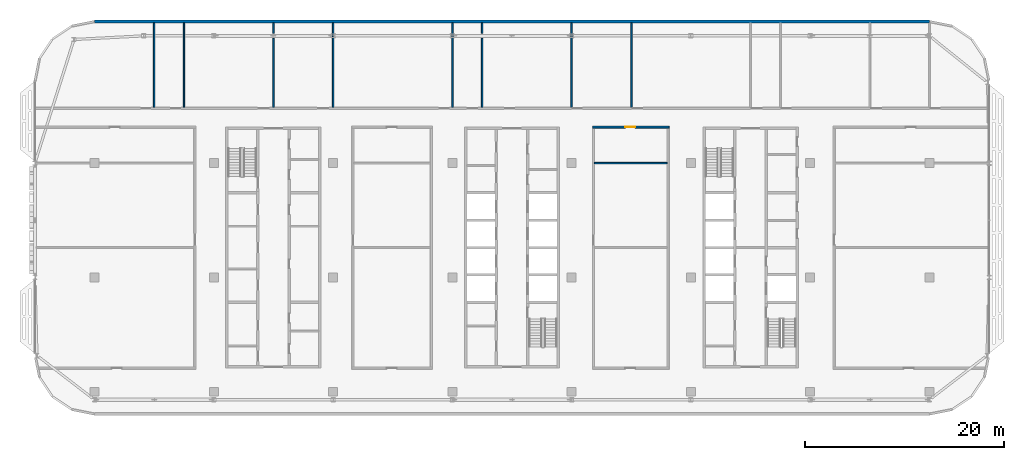
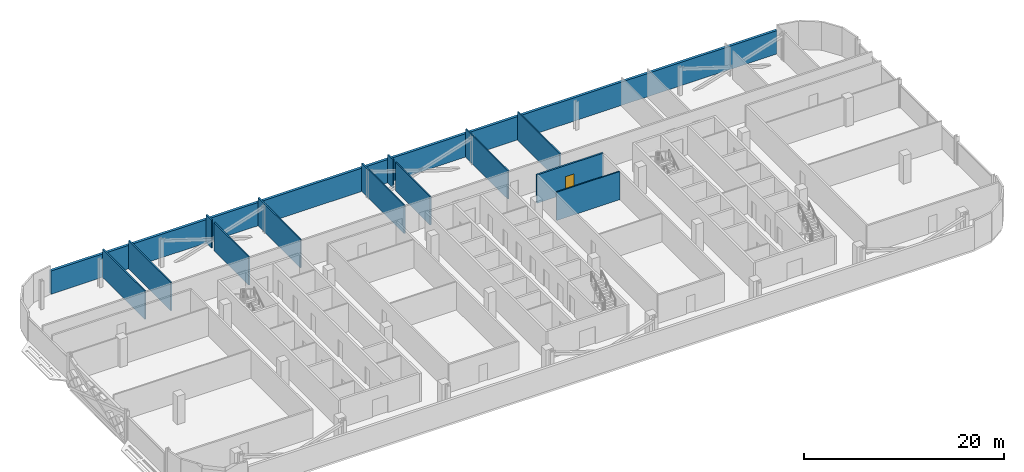
# One storey, part 17 of 28: 13 walls, 1 door, 1 opening.
"""IFC4 building model written with IfcOpenShell, lengths in metres."""

from ifc_helpers import new_model, si_unit, direction, frame, frame_2d, origin, place, context, subcontext, project, spatial, rectangle, extrude, material, layer, layer_set, type_object, element, fill, save


model = new_model("IFC4")

# Units and contexts
model_context = context("Model", 3, precision=1e-05, world=origin(), true_north=direction((0.0, 1.0)))
body_context = subcontext(model_context, "Body", "Model", "MODEL_VIEW")
ifc_project = project(units=[si_unit("LENGTHUNIT", "METRE"), si_unit("AREAUNIT", "SQUARE_METRE"), si_unit("VOLUMEUNIT", "CUBIC_METRE"), si_unit("PLANEANGLEUNIT", "RADIAN"), si_unit("MASSUNIT", "GRAM", prefix="KILO")], contexts=[model_context])

# Site, building, storey
site_placement = place(None, origin())
site = spatial("IfcSite", under=ifc_project, at=site_placement, CompositionType="ELEMENT")
building_placement = place(site_placement, origin())
building = spatial("IfcBuilding", under=site, at=building_placement, Name="Mahtab Terrace Research Tower", CompositionType="ELEMENT")
storey_placement = place(building_placement, frame((0.0, 0.0, 267.10009765625)))
storey = spatial("IfcBuildingStorey", under=building, at=storey_placement, Name="L65", CompositionType="ELEMENT", Elevation=267.10009765625)

# Wall
ifc_material_1 = material(Name="Black aluminium cladding panel", Category="aluminium")
ifc_layer_1 = layer(ifc_material_1, 0.300048828125)
ifc_layer_set_1 = layer_set([ifc_layer_1], Name="Opaque facade wall 300")
wall_type_1 = type_object("IfcWallType", Name="Opaque facade wall 300", PredefinedType="NOTDEFINED", material=ifc_layer_set_1)
wall_1_placement = place(storey_placement, frame((42.0, 25.7509765625, 0.0), z_axis=(0.0, 0.0, 1.0), x_axis=(-1.0, 0.0, 0.0)))
element("IfcWall", 1, at=wall_1_placement, inside=storey, type_object=wall_type_1, Name="Opaque facade wall L65 N3", PredefinedType="NOTDEFINED", context=body_context, shape_type="SweptSolid", body=[
    extrude(rectangle(XDim=84.0, YDim=0.300048828125, at=frame_2d((42.0, 0.0))), origin(), (0.0, 0.0, 1.0), 2.852783203125),
])

# Wall, opening, door
ifc_material_2 = material(Name="Gypsum board corridor wall on steel studs", Category="steel")
ifc_layer_2 = layer(ifc_material_2, 0.199951171875)
ifc_layer_set_2 = layer_set([ifc_layer_2], Name="WALL CORRIDOR 200")
wall_type_2 = type_object("IfcWallType", Name="WALL CORRIDOR 200", PredefinedType="PARTITIONING", material=ifc_layer_set_2)
wall_2_placement = place(storey_placement, frame((8.10009765625, 15.125, 0.0), z_axis=(0.0, 0.0, 1.0), x_axis=(1.0, 0.0, 0.0)))
wall_2 = element("IfcWall", 2, at=wall_2_placement, inside=storey, type_object=wall_type_2, Name="L65-W017", PredefinedType="PARTITIONING", context=body_context, shape_type="SweptSolid", body=[
    extrude(rectangle(XDim=7.699951171875, YDim=0.199951171875, at=frame_2d((3.85009765625, 0.0))), origin(), (0.0, 0.0, 1.0), 3.4599609375),
])
opening_placement = place(wall_2_placement, frame((3.300048828125, 0.0, 0.0)))
opening = element("IfcOpeningElement", 3, at=opening_placement, cuts=wall_2, Name="Opening L65-111", PredefinedType="OPENING", context=body_context, shape_type="SweptSolid", body=[
    extrude(rectangle(XDim=1.0, YDim=2.10009765625, at=frame_2d((0.5, 1.050048828125))), frame((0.0, 0.10986328125, 0.0), z_axis=(0.0, -1.0, 0.0), x_axis=(1.0, 0.0, 0.0)), (0.0, 0.0, 1.0), 0.219970703125),
])
ifc_material_3 = material(Name="Timber door leaf in steel frame", Category="steel")
door_type = type_object("IfcDoorType", Name="DOOR 1000X2100 FD30S", OperationType="SINGLE_SWING_LEFT", PredefinedType="DOOR", material=ifc_material_3)
door_placement = place(opening_placement, origin())
door = element("IfcDoor", 4, at=door_placement, inside=storey, type_object=door_type, Name="Door L65-111", OperationType="SINGLE_SWING_RIGHT", OverallHeight=2.10009765625, OverallWidth=1.0, PredefinedType="DOOR", context=body_context, shape_type="SweptSolid", body=[
    extrude(rectangle(XDim=1.0, YDim=2.10009765625, at=frame_2d((0.5, 1.050048828125))), frame((0.0, 0.02490234375, 0.0), z_axis=(0.0, -1.0, 0.0), x_axis=(1.0, 0.0, 0.0)), (0.0, 0.0, 1.0), 0.050048828125),
])
fill(opening, door)

# Walls
ifc_material_4 = material(Name="Gypsum board partition on steel studs", Category="steel")
ifc_layer_3 = layer(ifc_material_4, 0.14990234375)
ifc_layer_set_3 = layer_set([ifc_layer_3], Name="WALL PARTITION 150")
wall_type_3 = type_object("IfcWallType", Name="WALL PARTITION 150", PredefinedType="PARTITIONING", material=ifc_layer_set_3)
wall_3_placement = place(storey_placement, frame((8.300048828125, 11.5, 0.0), z_axis=(0.0, 0.0, 1.0), x_axis=(1.0, 0.0, 0.0)))
element("IfcWall", 5, at=wall_3_placement, inside=storey, type_object=wall_type_3, Name="L65-W012", PredefinedType="PARTITIONING", context=body_context, shape_type="SweptSolid", body=[
    extrude(rectangle(XDim=7.300048828125, YDim=0.14990234375, at=frame_2d((3.64990234375, 0.0))), origin(), (0.0, 0.0, 1.0), 3.4599609375),
])
for number, where, z_axis, x_axis, name in (
    (6, (-36.0, 17.10009765625, 0.0), (0.0, 0.0, 1.0), (0.0, 1.0, 0.0), "L65-W020"),
    (7, (-33.0, 17.10009765625, 0.0), (0.0, 0.0, 1.0), (0.0, 1.0, 0.0), "L65-W021"),
):
    element("IfcWall", number, at=place(storey_placement, frame(where, z_axis=z_axis, x_axis=x_axis)), inside=storey, type_object=wall_type_3, Name=name, PredefinedType="PARTITIONING", context=body_context, shape_type="SweptSolid", body=[
        extrude(rectangle(XDim=8.5009765625, YDim=0.14990234375, at=frame_2d((4.25048828125, 0.0))), origin(), (0.0, 0.0, 1.0), 3.4599609375),
    ])
wall_4_placement = place(storey_placement, frame((-24.0, 17.10009765625, 0.0), z_axis=(0.0, 0.0, 1.0), x_axis=(0.0, 1.0, 0.0)))
element("IfcWall", 8, at=wall_4_placement, inside=storey, type_object=wall_type_3, Name="L65-W023", PredefinedType="PARTITIONING", context=body_context, shape_type="SweptSolid", body=[
    extrude(rectangle(XDim=6.95458984375, YDim=0.14990234375, at=frame_2d((3.477294921875, 0.0))), origin(), (0.0, 0.0, 1.0), 3.4599609375),
])
wall_5_placement = place(storey_placement, frame((-24.0, 24.559326171875, 0.0), z_axis=(0.0, 0.0, 1.0), x_axis=(0.0, 1.0, 0.0)))
element("IfcWall", 9, at=wall_5_placement, inside=storey, type_object=wall_type_3, Name="L65-W024", PredefinedType="PARTITIONING", context=body_context, shape_type="SweptSolid", body=[
    extrude(rectangle(XDim=1.041748046875, YDim=0.14990234375, at=frame_2d((0.52099609375, 0.0))), origin(), (0.0, 0.0, 1.0), 3.4599609375),
])
for number, where, z_axis, x_axis, name in (
    (10, (-18.0, 17.10009765625, 0.0), (0.0, 0.0, 1.0), (0.0, 1.0, 0.0), "L65-W025"),
    (11, (-6.0, 17.10009765625, 0.0), (0.0, 0.0, 1.0), (0.0, 1.0, 0.0), "L65-W028"),
):
    element("IfcWall", number, at=place(storey_placement, frame(where, z_axis=z_axis, x_axis=x_axis)), inside=storey, type_object=wall_type_3, Name=name, PredefinedType="PARTITIONING", context=body_context, shape_type="SweptSolid", body=[
        extrude(rectangle(XDim=8.5009765625, YDim=0.14990234375, at=frame_2d((4.25048828125, 0.0))), origin(), (0.0, 0.0, 1.0), 3.4599609375),
    ])
wall_6_placement = place(storey_placement, frame((-3.0, 17.10009765625, 0.0), z_axis=(0.0, 0.0, 1.0), x_axis=(0.0, 1.0, 0.0)))
element("IfcWall", 12, at=wall_6_placement, inside=storey, type_object=wall_type_3, Name="L65-W029", PredefinedType="PARTITIONING", context=body_context, shape_type="SweptSolid", body=[
    extrude(rectangle(XDim=6.95458984375, YDim=0.14990234375, at=frame_2d((3.477294921875, 0.0))), origin(), (0.0, 0.0, 1.0), 3.4599609375),
])
wall_7_placement = place(storey_placement, frame((-3.0, 24.559326171875, 0.0), z_axis=(0.0, 0.0, 1.0), x_axis=(0.0, 1.0, 0.0)))
element("IfcWall", 13, at=wall_7_placement, inside=storey, type_object=wall_type_3, Name="L65-W030", PredefinedType="PARTITIONING", context=body_context, shape_type="SweptSolid", body=[
    extrude(rectangle(XDim=1.041748046875, YDim=0.14990234375, at=frame_2d((0.52099609375, 0.0))), origin(), (0.0, 0.0, 1.0), 3.4599609375),
])
for number, where, z_axis, x_axis, name in (
    (14, (6.0, 17.10009765625, 0.0), (0.0, 0.0, 1.0), (0.0, 1.0, 0.0), "L65-W031"),
    (15, (12.0, 17.10009765625, 0.0), (0.0, 0.0, 1.0), (0.0, 1.0, 0.0), "L65-W033"),
):
    element("IfcWall", number, at=place(storey_placement, frame(where, z_axis=z_axis, x_axis=x_axis)), inside=storey, type_object=wall_type_3, Name=name, PredefinedType="PARTITIONING", context=body_context, shape_type="SweptSolid", body=[
        extrude(rectangle(XDim=8.5009765625, YDim=0.14990234375, at=frame_2d((4.25048828125, 0.0))), origin(), (0.0, 0.0, 1.0), 3.4599609375),
    ])

save(model, "model.ifc")
